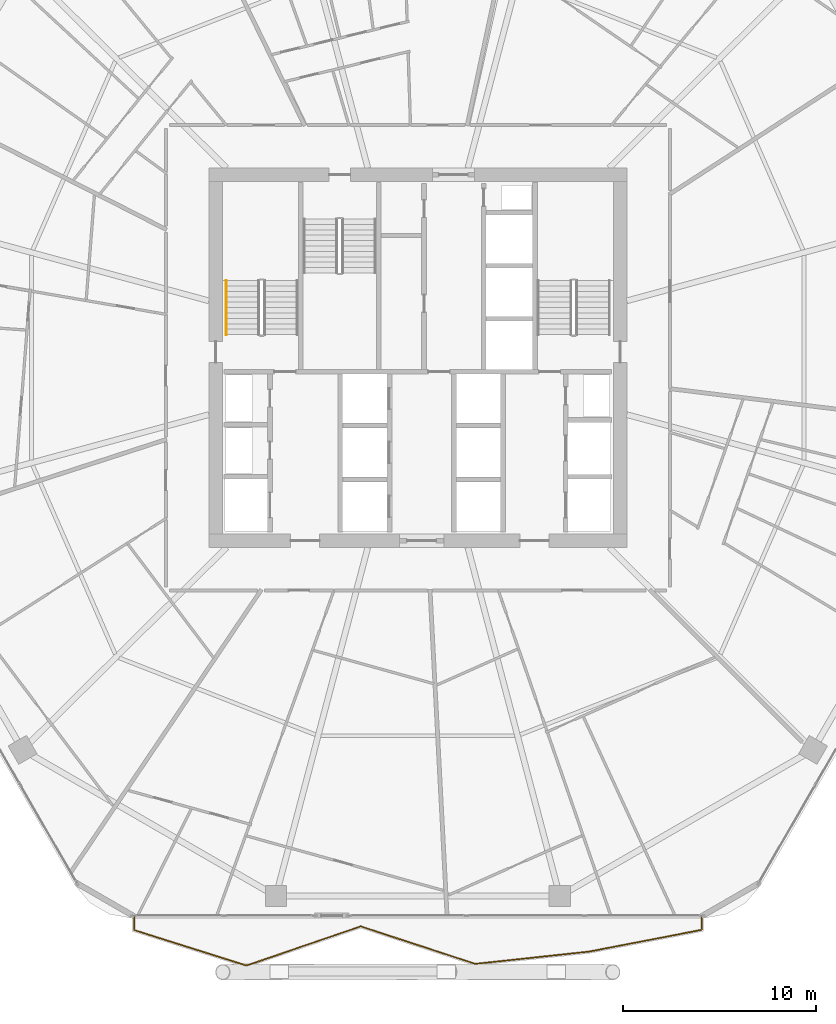
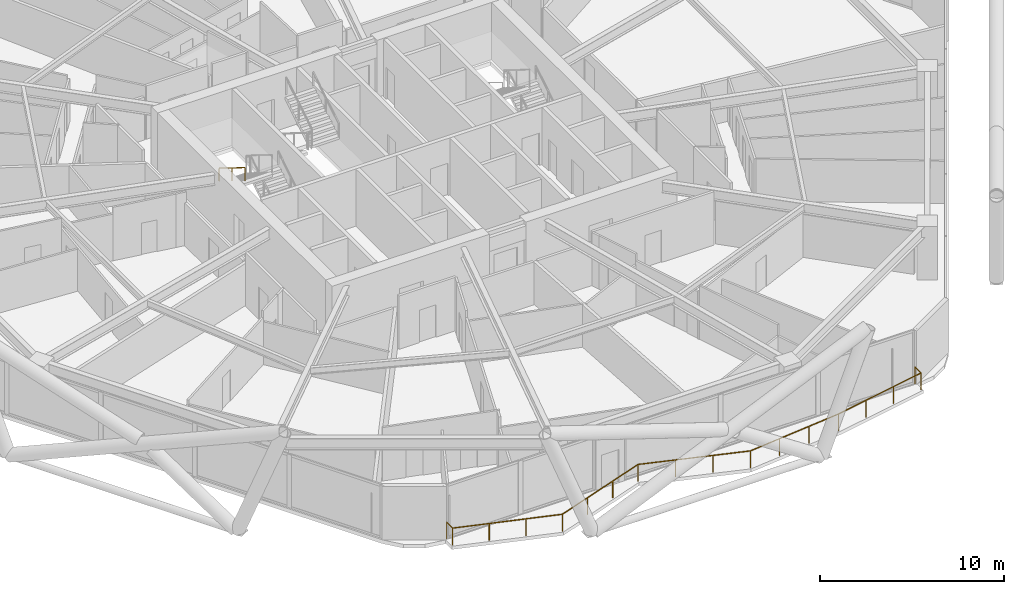
# One storey, part 33 of 35: 2 railings.
"""IFC4 building model written with IfcOpenShell, lengths in metres."""

from ifc_helpers import new_model, si_unit, direction, frame, origin, origin_2d, place, context, subcontext, project, spatial, rectangle, extrude, material, type_object, element, save


model = new_model("IFC4")

# Units and contexts
model_context = context("Model", 3, precision=1e-05, world=origin(), true_north=direction((0.0, 1.0)))
body_context = subcontext(model_context, "Body", "Model", "MODEL_VIEW")
ifc_project = project(units=[si_unit("LENGTHUNIT", "METRE"), si_unit("AREAUNIT", "SQUARE_METRE"), si_unit("VOLUMEUNIT", "CUBIC_METRE"), si_unit("PLANEANGLEUNIT", "RADIAN"), si_unit("MASSUNIT", "GRAM", prefix="KILO")], contexts=[model_context])

# Site, building, storey
site_placement = place(None, origin())
site = spatial("IfcSite", under=ifc_project, at=site_placement, CompositionType="ELEMENT")
building_placement = place(site_placement, origin())
building = spatial("IfcBuilding", under=site, at=building_placement, Name="Zuhravey Tower", CompositionType="ELEMENT")
storey_placement = place(building_placement, frame((0.0, 0.0, 115.199951171875)))
storey = spatial("IfcBuildingStorey", under=building, at=storey_placement, Name="L28", CompositionType="ELEMENT", Elevation=115.199951171875)

# Railings
ifc_material_1 = material(Name="Stainless steel 316 and laminated glass", Category="steel")
railing_type_1 = type_object("IfcRailingType", Name="Balcony & Terrace Guardrail 1150", PredefinedType="BALUSTRADE", material=ifc_material_1)
railing_1_placement = place(storey_placement, frame((50.728271484375, 2.95654296875, 0.0)))
element("IfcRailing", 1, at=railing_1_placement, inside=storey, type_object=railing_type_1, Name="L28 Face 5 Wave Balcony Guardrail GR1", PredefinedType="BALUSTRADE", context=body_context, shape_type="SweptSolid", body=[
    extrude(rectangle(XDim=0.048095703125, YDim=0.048095703125, at=origin_2d()), frame((0.0, -0.001953125, 1.1259765625), z_axis=(0.0, -1.0, 0.0), x_axis=(1.0, 0.0, 0.0)), (0.0, 0.0, 1.0), 0.653564453125),
    extrude(rectangle(XDim=0.048095703125, YDim=0.048095703125, at=origin_2d()), frame((-0.001953125, -0.657958984375, 1.1259765625), z_axis=(-0.981808215411, -0.189875296315, 0.0), x_axis=(0.189875296315, -0.981808215411, 0.0)), (0.0, 0.0, 1.0), 5.950439453125),
    extrude(rectangle(XDim=0.048095703125, YDim=0.048095703125, at=origin_2d()), frame((-5.84814453125, -1.788330078125, 1.1259765625), z_axis=(-0.994277700461, -0.106826281252, 0.0), x_axis=(0.106826281252, -0.994277700461, 0.0)), (0.0, 0.0, 1.0), 5.935791015625),
    extrude(rectangle(XDim=0.048095703125, YDim=0.048095703125, at=origin_2d()), frame((-11.75390625, -2.421875, 1.1259765625), z_axis=(-0.950329537378, 0.311245514645, 0.0), x_axis=(-0.311245514645, -0.950329537378, 0.0)), (0.0, 0.0, 1.0), 6.249267578125),
    extrude(rectangle(XDim=0.048095703125, YDim=0.048095703125, at=origin_2d()), frame((-17.696533203125, -0.47705078125, 1.1259765625), z_axis=(-0.945890991936, -0.324484562612, 0.0), x_axis=(0.324484562612, -0.945890991936, 0.0)), (0.0, 0.0, 1.0), 6.267333984375),
    extrude(rectangle(XDim=0.048095703125, YDim=0.048095703125, at=origin_2d()), frame((-23.62841796875, -2.5107421875, 1.1259765625), z_axis=(-0.953422627274, 0.301637686309, 0.0), x_axis=(-0.301637686309, -0.953422627274, 0.0)), (0.0, 0.0, 1.0), 6.11083984375),
    extrude(rectangle(XDim=0.048095703125, YDim=0.048095703125, at=origin_2d()), frame((-29.45654296875, -0.664794921875, 1.1259765625), z_axis=(0.0, 1.0, 0.0), x_axis=(-1.0, 0.0, 0.0)), (0.0, 0.0, 1.0), 0.662841796875),
    extrude(rectangle(XDim=0.0419921875, YDim=0.0419921875, at=origin_2d()), origin(), (0.0, 0.0, 1.0), 1.099853515625),
    extrude(rectangle(XDim=0.0419921875, YDim=0.0419921875, at=origin_2d()), frame((0.0, -0.657470703125, 0.0)), (0.0, 0.0, 1.0), 1.099853515625),
    extrude(rectangle(XDim=0.0419921875, YDim=0.0419921875, at=origin_2d()), frame((-1.94873046875, -1.034423828125, 0.0)), (0.0, 0.0, 1.0), 1.099853515625),
    extrude(rectangle(XDim=0.0419921875, YDim=0.0419921875, at=origin_2d()), frame((-3.8974609375, -1.4111328125, 0.0)), (0.0, 0.0, 1.0), 1.099853515625),
    extrude(rectangle(XDim=0.0419921875, YDim=0.0419921875, at=origin_2d()), frame((-5.84619140625, -1.7880859375, 0.0)), (0.0, 0.0, 1.0), 1.099853515625),
    extrude(rectangle(XDim=0.0419921875, YDim=0.0419921875, at=origin_2d()), frame((-7.814697265625, -1.99951171875, 0.0)), (0.0, 0.0, 1.0), 1.099853515625),
    extrude(rectangle(XDim=0.0419921875, YDim=0.0419921875, at=origin_2d()), frame((-9.783447265625, -2.211181640625, 0.0)), (0.0, 0.0, 1.0), 1.099853515625),
    extrude(rectangle(XDim=0.0419921875, YDim=0.0419921875, at=origin_2d()), frame((-11.751953125, -2.422607421875, 0.0)), (0.0, 0.0, 1.0), 1.099853515625),
    extrude(rectangle(XDim=0.0419921875, YDim=0.0419921875, at=origin_2d()), frame((-13.73291015625, -1.77392578125, 0.0)), (0.0, 0.0, 1.0), 1.099853515625),
    extrude(rectangle(XDim=0.0419921875, YDim=0.0419921875, at=origin_2d()), frame((-15.713623046875, -1.125, 0.0)), (0.0, 0.0, 1.0), 1.099853515625),
    extrude(rectangle(XDim=0.0419921875, YDim=0.0419921875, at=origin_2d()), frame((-17.694580078125, -0.476318359375, 0.0)), (0.0, 0.0, 1.0), 1.099853515625),
    extrude(rectangle(XDim=0.0419921875, YDim=0.0419921875, at=origin_2d()), frame((-19.671875, -1.154541015625, 0.0)), (0.0, 0.0, 1.0), 1.099853515625),
    extrude(rectangle(XDim=0.0419921875, YDim=0.0419921875, at=origin_2d()), frame((-21.649169921875, -1.8330078125, 0.0)), (0.0, 0.0, 1.0), 1.099853515625),
    extrude(rectangle(XDim=0.0419921875, YDim=0.0419921875, at=origin_2d()), frame((-23.62646484375, -2.51123046875, 0.0)), (0.0, 0.0, 1.0), 1.099853515625),
    extrude(rectangle(XDim=0.0419921875, YDim=0.0419921875, at=origin_2d()), frame((-25.56982421875, -1.896484375, 0.0)), (0.0, 0.0, 1.0), 1.099853515625),
    extrude(rectangle(XDim=0.0419921875, YDim=0.0419921875, at=origin_2d()), frame((-27.51318359375, -1.281494140625, 0.0)), (0.0, 0.0, 1.0), 1.099853515625),
    extrude(rectangle(XDim=0.0419921875, YDim=0.0419921875, at=origin_2d()), frame((-29.45654296875, -0.666748046875, 0.0)), (0.0, 0.0, 1.0), 1.099853515625),
    extrude(rectangle(XDim=0.0419921875, YDim=0.0419921875, at=origin_2d()), frame((-29.45654296875, 0.0, 0.0)), (0.0, 0.0, 1.0), 1.099853515625),
])
ifc_material_2 = material(Name="Brushed stainless steel", Category="steel")
railing_type_2 = type_object("IfcRailingType", Name="Stair Wall Handrail 900", PredefinedType="HANDRAIL", material=ifc_material_2)
railing_2_placement = place(storey_placement, frame((26.050048828125, 36.0, 2.07275390625)))
element("IfcRailing", 2, at=railing_2_placement, inside=storey, type_object=railing_type_2, Name="L28 ST1 stair handrail 2", PredefinedType="HANDRAIL", context=body_context, shape_type="SweptSolid", body=[
    extrude(rectangle(XDim=0.048095703125, YDim=0.048095703125, at=origin_2d()), frame((0.0, -0.001708984375, 0.876953125), z_axis=(0.0, -0.851089632645, 0.525020415988), x_axis=(1.0, 0.0, 0.0)), (0.0, 0.0, 1.0), 3.285888671875),
    extrude(rectangle(XDim=0.0419921875, YDim=0.0419921875, at=origin_2d()), origin(), (0.0, 0.0, 1.0), 0.849853515625),
    extrude(rectangle(XDim=0.0419921875, YDim=0.0419921875, at=origin_2d()), frame((0.0, -1.39990234375, 0.86376953125)), (0.0, 0.0, 1.0), 0.849853515625),
    extrude(rectangle(XDim=0.0419921875, YDim=0.0419921875, at=origin_2d()), frame((0.0, -2.800048828125, 1.727294921875)), (0.0, 0.0, 1.0), 0.849853515625),
])

save(model, "model.ifc")
